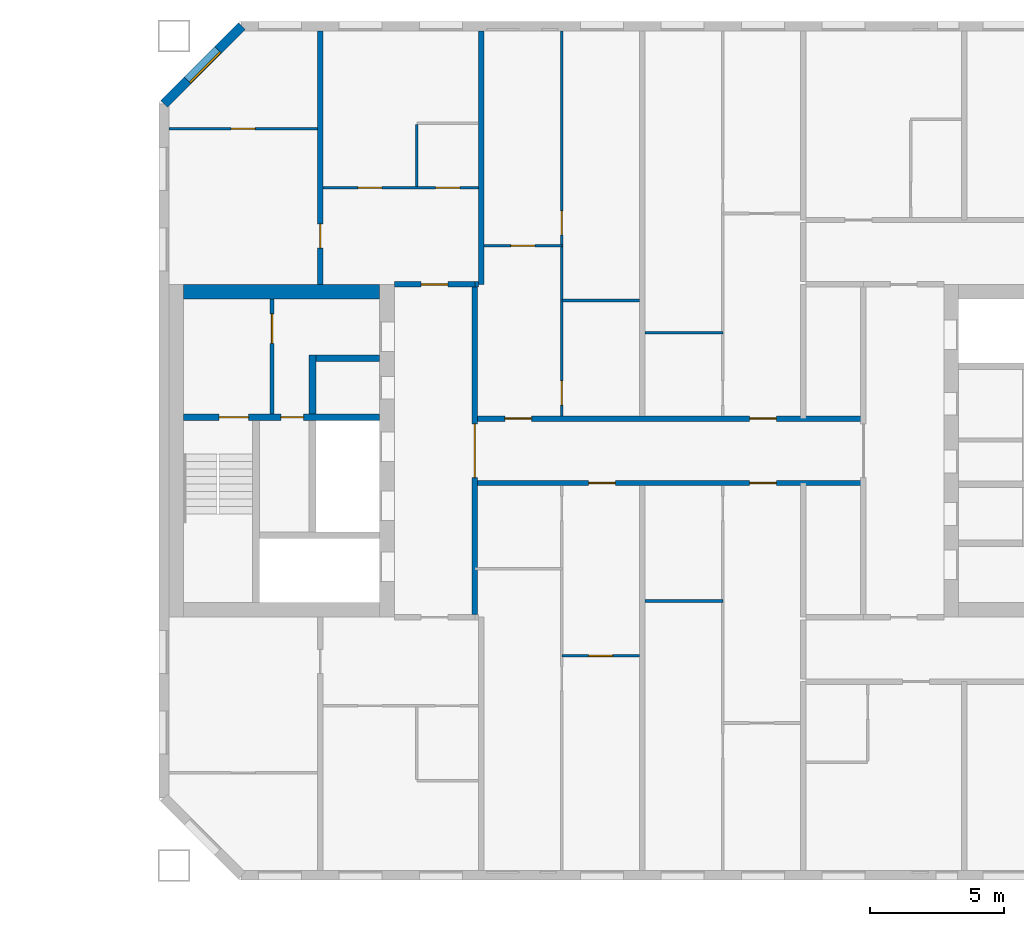
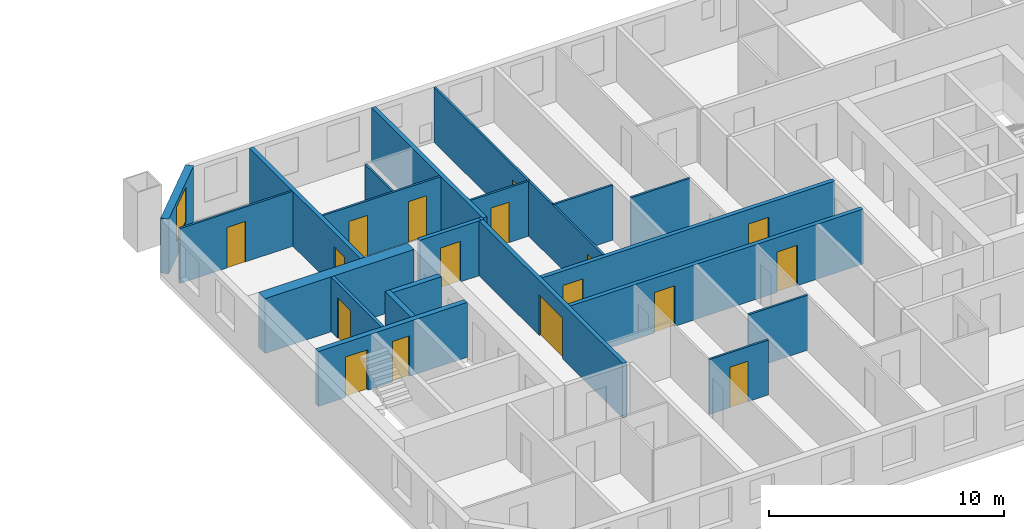
# One storey, part 11 of 16: 22 walls, 17 doors, 1 window, 18 openings.
"""IFC4 building model written with IfcOpenShell, lengths in metres."""

from ifc_helpers import new_model, si_unit, direction, frame, frame_2d, origin, place, context, subcontext, project, spatial, rectangle, extrude, material, layer, layer_set, type_object, element, fill, save


model = new_model("IFC4")

# Units and contexts
model_context = context("Model", 3, precision=1e-05, world=origin(), true_north=direction((0.0, 1.0)))
body_context = subcontext(model_context, "Body", "Model", "MODEL_VIEW")
ifc_project = project(units=[si_unit("LENGTHUNIT", "METRE"), si_unit("AREAUNIT", "SQUARE_METRE"), si_unit("VOLUMEUNIT", "CUBIC_METRE"), si_unit("PLANEANGLEUNIT", "RADIAN"), si_unit("MASSUNIT", "GRAM", prefix="KILO")], contexts=[model_context])

# Site, building, storey
site_placement = place(None, origin())
site = spatial("IfcSite", under=ifc_project, at=site_placement, CompositionType="ELEMENT")
building_placement = place(site_placement, origin())
building = spatial("IfcBuilding", under=site, at=building_placement, Name="Tuart Gate Housing", CompositionType="ELEMENT")
storey_placement = place(building_placement, frame((0.0, 0.0, 133.0)))
storey = spatial("IfcBuildingStorey", under=building, at=storey_placement, Name="L37", CompositionType="ELEMENT", Elevation=133.0)

# Wall, opening, window
ifc_material_1 = material(Name="Brick", Category="masonry")
ifc_layer_1 = layer(ifc_material_1, 0.360107421875)
ifc_layer_set_1 = layer_set([ifc_layer_1], Name="Brick pier and spandrel wall 360")
wall_type_1 = type_object("IfcWallType", Name="Brick pier and spandrel wall 360", PredefinedType="STANDARD", material=ifc_layer_set_1)
wall_1_placement = place(storey_placement, frame((134.07470703125, 85.820068359375, 0.0), z_axis=(0.0, 0.0, 1.0), x_axis=(-0.707106781187, -0.707106781187, 0.0)))
wall_1 = element("IfcWall", 1, at=wall_1_placement, inside=storey, type_object=wall_type_1, Name="External wall B-NW L37", PredefinedType="STANDARD", context=body_context, shape_type="SweptSolid", body=[
    extrude(rectangle(XDim=4.09375, YDim=0.360107421875, at=frame_2d((2.046875, 0.0))), origin(), (0.0, 0.0, 1.0), 2.85009765625),
])
opening_1_placement = place(wall_1_placement, frame((1.2470703125, 0.0, 0.800048828125)))
opening_1 = element("IfcOpeningElement", 2, at=opening_1_placement, cuts=wall_1, Name="Opening W1", PredefinedType="OPENING", context=body_context, shape_type="SweptSolid", body=[
    extrude(rectangle(XDim=1.60009765625, YDim=1.800048828125, at=frame_2d((0.800048828125, 0.89990234375))), frame((0.0, 0.18994140625, 0.0), z_axis=(0.0, -1.0, 0.0), x_axis=(1.0, 0.0, 0.0)), (0.0, 0.0, 1.0), 0.380126953125),
])
ifc_material_2 = material(Name="Aluminium frame with clear glass", Category="aluminium")
window_type = type_object("IfcWindowType", Name="Punched window 1600 x 1800", PartitioningType="SINGLE_PANEL", PredefinedType="WINDOW", material=ifc_material_2)
window_placement = place(opening_1_placement, origin())
window = element("IfcWindow", 3, at=window_placement, inside=storey, type_object=window_type, Name="Window W1", OverallHeight=1.800048828125, OverallWidth=1.60009765625, PartitioningType="SINGLE_PANEL", PredefinedType="WINDOW", context=body_context, shape_type="SweptSolid", body=[
    extrude(rectangle(XDim=1.60009765625, YDim=1.800048828125, at=frame_2d((0.800048828125, 0.89990234375))), frame((0.0, 0.150146484375, 0.0), z_axis=(0.0, -1.0, 0.0), x_axis=(1.0, 0.0, 0.0)), (0.0, 0.0, 1.0), 0.06005859375),
])
fill(opening_1, window)

# Wall, opening, door
ifc_material_3 = material(Name="Plasterboard partition")
ifc_layer_2 = layer(ifc_material_3, 0.14990234375)
ifc_layer_set_2 = layer_set([ifc_layer_2], Name="Core partition 150")
wall_type_2 = type_object("IfcWallType", Name="Core partition 150", PredefinedType="PARTITIONING", material=ifc_layer_set_2)
wall_2_placement = place(storey_placement, frame((135.2099609375, 71.375, 0.0), z_axis=(0.0, 0.0, 1.0), x_axis=(0.0, 1.0, 0.0)))
wall_2 = element("IfcWall", 4, at=wall_2_placement, inside=storey, type_object=wall_type_2, Name="Core partition BG.6", PredefinedType="PARTITIONING", context=body_context, shape_type="SweptSolid", body=[
    extrude(rectangle(XDim=4.27490234375, YDim=0.14990234375, at=frame_2d((2.137451171875, 0.0))), origin(), (0.0, 0.0, 1.0), 2.85009765625),
])
opening_2_placement = place(wall_2_placement, frame((2.625, 0.0, 0.0)))
opening_2 = element("IfcOpeningElement", 5, at=opening_2_placement, cuts=wall_2, Name="Opening D1481", PredefinedType="OPENING", context=body_context, shape_type="SweptSolid", body=[
    extrude(rectangle(XDim=1.10009765625, YDim=2.10009765625, at=frame_2d((0.550048828125, 1.050048828125))), frame((0.0, 0.0849609375, 0.0), z_axis=(0.0, -1.0, 0.0), x_axis=(1.0, 0.0, 0.0)), (0.0, 0.0, 1.0), 0.169921875),
])
ifc_material_4 = material(Name="Steel fire door", Category="steel")
door_type_1 = type_object("IfcDoorType", Name="Lobby door 1100 x 2100 RH", OperationType="SINGLE_SWING_RIGHT", PredefinedType="DOOR", material=ifc_material_4)
door_1_placement = place(opening_2_placement, origin())
door_1 = element("IfcDoor", 6, at=door_1_placement, inside=storey, type_object=door_type_1, Name="Smoke lobby door BG.KD", OperationType="SINGLE_SWING_RIGHT", OverallHeight=2.10009765625, OverallWidth=1.10009765625, PredefinedType="DOOR", context=body_context, shape_type="SweptSolid", body=[
    extrude(rectangle(XDim=1.10009765625, YDim=2.10009765625, at=frame_2d((0.550048828125, 1.050048828125))), frame((0.0, 0.02490234375, 0.0), z_axis=(0.0, -1.0, 0.0), x_axis=(1.0, 0.0, 0.0)), (0.0, 0.0, 1.0), 0.050048828125),
])
fill(opening_2, door_1)

# Wall, openings, doors
ifc_material_5 = material(Name="Concrete C50", Category="concrete")
ifc_layer_3 = layer(ifc_material_5, 0.25)
ifc_layer_set_3 = layer_set([ifc_layer_3], Name="Core wall 250 C50")
wall_type_3 = type_object("IfcWallType", Name="Core wall 250 C50", PredefinedType="SHEAR", material=ifc_layer_set_3)
wall_3_placement = place(storey_placement, frame((139.2099609375, 71.25, 0.0), z_axis=(0.0, 0.0, 1.0), x_axis=(-1.0, 0.0, 0.0)))
wall_3 = element("IfcWall", 7, at=wall_3_placement, inside=storey, type_object=wall_type_3, Name="Core wall BG.2", PredefinedType="SHEAR", context=body_context, shape_type="SweptSolid", body=[
    extrude(rectangle(XDim=7.300048828125, YDim=0.25, at=frame_2d((3.64990234375, 0.0))), origin(), (0.0, 0.0, 1.0), 2.85009765625),
])
opening_3_placement = place(wall_3_placement, frame((4.875, 0.0, 0.0)))
opening_3 = element("IfcOpeningElement", 8, at=opening_3_placement, cuts=wall_3, Name="Opening D1483", PredefinedType="OPENING", context=body_context, shape_type="SweptSolid", body=[
    extrude(rectangle(XDim=1.10009765625, YDim=2.10009765625, at=frame_2d((0.550048828125, 1.050048828125))), frame((0.0, 0.135009765625, 0.0), z_axis=(0.0, -1.0, 0.0), x_axis=(1.0, 0.0, 0.0)), (0.0, 0.0, 1.0), 0.27001953125),
])
opening_4_placement = place(wall_3_placement, frame((2.824951171875, 0.0, 0.0)))
opening_4 = element("IfcOpeningElement", 9, at=opening_4_placement, cuts=wall_3, Name="Opening D1482", PredefinedType="OPENING", context=body_context, shape_type="SweptSolid", body=[
    extrude(rectangle(XDim=0.85009765625, YDim=2.10009765625, at=frame_2d((0.425048828125, 1.050048828125))), frame((0.0, 0.135009765625, 0.0), z_axis=(0.0, -1.0, 0.0), x_axis=(1.0, 0.0, 0.0)), (0.0, 0.0, 1.0), 0.27001953125),
])
ifc_material_6 = material(Name="Steel fire door", Category="steel")
door_type_2 = type_object("IfcDoorType", Name="Riser door 850 x 2100", OperationType="SINGLE_SWING_LEFT", PredefinedType="DOOR", material=ifc_material_6)
door_2_placement = place(opening_4_placement, origin())
door_2 = element("IfcDoor", 10, at=door_2_placement, inside=storey, type_object=door_type_2, Name="Service room door BG.W1", OperationType="SINGLE_SWING_LEFT", OverallHeight=2.10009765625, OverallWidth=0.85009765625, PredefinedType="DOOR", context=body_context, shape_type="SweptSolid", body=[
    extrude(rectangle(XDim=0.85009765625, YDim=2.10009765625, at=frame_2d((0.425048828125, 1.050048828125))), frame((0.0, 0.02490234375, 0.0), z_axis=(0.0, -1.0, 0.0), x_axis=(1.0, 0.0, 0.0)), (0.0, 0.0, 1.0), 0.050048828125),
])
fill(opening_4, door_2)
ifc_material_7 = material(Name="Steel fire door", Category="steel")
door_type_3 = type_object("IfcDoorType", Name="Stair door 1100 x 2100", OperationType="SINGLE_SWING_LEFT", PredefinedType="DOOR", material=ifc_material_7)
door_3_placement = place(opening_3_placement, origin())
door_3 = element("IfcDoor", 11, at=door_3_placement, inside=storey, type_object=door_type_3, Name="Stair door BG.SD", OperationType="SINGLE_SWING_LEFT", OverallHeight=2.10009765625, OverallWidth=1.10009765625, PredefinedType="DOOR", context=body_context, shape_type="SweptSolid", body=[
    extrude(rectangle(XDim=1.10009765625, YDim=2.10009765625, at=frame_2d((0.550048828125, 1.050048828125))), frame((0.0, 0.02490234375, 0.0), z_axis=(0.0, -1.0, 0.0), x_axis=(1.0, 0.0, 0.0)), (0.0, 0.0, 1.0), 0.050048828125),
])
fill(opening_3, door_3)

# Walls
wall_4_placement = place(storey_placement, frame((139.2099609375, 73.449951171875, 0.0), z_axis=(0.0, 0.0, 1.0), x_axis=(-1.0, 0.0, 0.0)))
element("IfcWall", 12, at=wall_4_placement, inside=storey, type_object=wall_type_3, Name="Core wall BG.3", PredefinedType="SHEAR", context=body_context, shape_type="SweptSolid", body=[
    extrude(rectangle(XDim=2.375, YDim=0.25, at=frame_2d((1.1875, 0.0))), origin(), (0.0, 0.0, 1.0), 2.85009765625),
])
wall_5_placement = place(storey_placement, frame((136.7099609375, 71.375, 0.0), z_axis=(0.0, 0.0, 1.0), x_axis=(0.0, 1.0, 0.0)))
element("IfcWall", 13, at=wall_5_placement, inside=storey, type_object=wall_type_3, Name="Core wall BG.5", PredefinedType="SHEAR", context=body_context, shape_type="SweptSolid", body=[
    extrude(rectangle(XDim=2.199951171875, YDim=0.25, at=frame_2d((1.10009765625, 0.0))), origin(), (0.0, 0.0, 1.0), 2.85009765625),
])
ifc_material_8 = material(Name="Concrete C50", Category="concrete")
ifc_layer_4 = layer(ifc_material_8, 0.550048828125)
ifc_layer_set_4 = layer_set([ifc_layer_4], Name="Core wall 550 C50")
wall_type_4 = type_object("IfcWallType", Name="Core wall 550 C50", PredefinedType="SHEAR", material=ifc_layer_set_4)
wall_6_placement = place(storey_placement, frame((139.2099609375, 75.925048828125, 0.0), z_axis=(0.0, 0.0, 1.0), x_axis=(-1.0, 0.0, 0.0)))
element("IfcWall", 14, at=wall_6_placement, inside=storey, type_object=wall_type_4, Name="Core wall BG north", PredefinedType="SHEAR", context=body_context, shape_type="SweptSolid", body=[
    extrude(rectangle(XDim=7.300048828125, YDim=0.550048828125, at=frame_2d((3.64990234375, 0.0))), origin(), (0.0, 0.0, 1.0), 2.85009765625),
])

# Wall, openings, doors
ifc_material_9 = material(Name="Concrete masonry 15 MPa", Category="masonry")
ifc_layer_5 = layer(ifc_material_9, 0.199951171875)
ifc_layer_set_5 = layer_set([ifc_layer_5], Name="Corridor wall masonry 200")
wall_type_5 = type_object("IfcWallType", Name="Corridor wall masonry 200", PredefinedType="PARTITIONING", material=ifc_layer_set_5)
wall_7_placement = place(storey_placement, frame((142.760009765625, 68.800048828125, 0.0), z_axis=(0.0, 0.0, 1.0), x_axis=(1.0, 0.0, 0.0)))
wall_7 = element("IfcWall", 15, at=wall_7_placement, inside=storey, type_object=wall_type_5, Name="Corridor wall masonry 200", PredefinedType="PARTITIONING", context=body_context, shape_type="SweptSolid", body=[
    extrude(rectangle(XDim=14.47998046875, YDim=0.199951171875, at=frame_2d((7.239990234375, 0.0))), origin(), (0.0, 0.0, 1.0), 2.85009765625),
])
opening_5_placement = place(wall_7_placement, frame((4.239990234375, 0.0, 0.0)))
opening_5 = element("IfcOpeningElement", 16, at=opening_5_placement, cuts=wall_7, Name="Opening D1495", PredefinedType="OPENING", context=body_context, shape_type="SweptSolid", body=[
    extrude(rectangle(XDim=1.0, YDim=2.10009765625, at=frame_2d((0.5, 1.050048828125))), frame((0.0, 0.10986328125, 0.0), z_axis=(0.0, -1.0, 0.0), x_axis=(1.0, 0.0, 0.0)), (0.0, 0.0, 1.0), 0.219970703125),
])
opening_6_placement = place(wall_7_placement, frame((10.239990234375, 0.0, 0.0)))
opening_6 = element("IfcOpeningElement", 17, at=opening_6_placement, cuts=wall_7, Name="Opening D1496", PredefinedType="OPENING", context=body_context, shape_type="SweptSolid", body=[
    extrude(rectangle(XDim=1.0, YDim=2.10009765625, at=frame_2d((0.5, 1.050048828125))), frame((0.0, 0.10986328125, 0.0), z_axis=(0.0, -1.0, 0.0), x_axis=(1.0, 0.0, 0.0)), (0.0, 0.0, 1.0), 0.219970703125),
])
ifc_material_10 = material(Name="Timber door leaf in steel frame", Category="steel")
door_type_4 = type_object("IfcDoorType", Name="Flat entrance door 1000 RH", OperationType="SINGLE_SWING_RIGHT", PredefinedType="DOOR", material=ifc_material_10)
door_4_placement = place(opening_5_placement, frame((1.0, 0.0, 0.0), z_axis=(0.0, 0.0, 1.0), x_axis=(-1.0, 0.0, 0.0)))
door_4 = element("IfcDoor", 18, at=door_4_placement, inside=storey, type_object=door_type_4, Name="Flat entrance door", OperationType="SINGLE_SWING_RIGHT", OverallHeight=2.10009765625, OverallWidth=1.0, PredefinedType="DOOR", context=body_context, shape_type="SweptSolid", body=[
    extrude(rectangle(XDim=1.0, YDim=2.10009765625, at=frame_2d((0.5, 1.050048828125))), frame((0.0, 0.025146484375, 0.0), z_axis=(0.0, -1.0, 0.0), x_axis=(1.0, 0.0, 0.0)), (0.0, 0.0, 1.0), 0.050048828125),
])
fill(opening_5, door_4)
door_5_placement = place(opening_6_placement, frame((1.0, 0.0, 0.0), z_axis=(0.0, 0.0, 1.0), x_axis=(-1.0, 0.0, 0.0)))
door_5 = element("IfcDoor", 19, at=door_5_placement, inside=storey, type_object=door_type_4, Name="Flat entrance door", OperationType="SINGLE_SWING_RIGHT", OverallHeight=2.10009765625, OverallWidth=1.0, PredefinedType="DOOR", context=body_context, shape_type="SweptSolid", body=[
    extrude(rectangle(XDim=1.0, YDim=2.10009765625, at=frame_2d((0.5, 1.050048828125))), frame((0.0, 0.025146484375, 0.0), z_axis=(0.0, -1.0, 0.0), x_axis=(1.0, 0.0, 0.0)), (0.0, 0.0, 1.0), 0.050048828125),
])
fill(opening_6, door_5)

wall_8_placement = place(storey_placement, frame((142.760009765625, 71.199951171875, 0.0), z_axis=(0.0, 0.0, 1.0), x_axis=(1.0, 0.0, 0.0)))
wall_8 = element("IfcWall", 20, at=wall_8_placement, inside=storey, type_object=wall_type_5, Name="Corridor wall masonry 200", PredefinedType="PARTITIONING", context=body_context, shape_type="SweptSolid", body=[
    extrude(rectangle(XDim=14.47998046875, YDim=0.199951171875, at=frame_2d((7.239990234375, 0.0))), origin(), (0.0, 0.0, 1.0), 2.85009765625),
])
opening_7_placement = place(wall_8_placement, frame((1.1201171875, 0.0, 0.0)))
opening_7 = element("IfcOpeningElement", 21, at=opening_7_placement, cuts=wall_8, Name="Opening D1484", PredefinedType="OPENING", context=body_context, shape_type="SweptSolid", body=[
    extrude(rectangle(XDim=1.0, YDim=2.10009765625, at=frame_2d((0.5, 1.050048828125))), frame((0.0, 0.10986328125, 0.0), z_axis=(0.0, -1.0, 0.0), x_axis=(1.0, 0.0, 0.0)), (0.0, 0.0, 1.0), 0.219970703125),
])
opening_8_placement = place(wall_8_placement, frame((10.239990234375, 0.0, 0.0)))
opening_8 = element("IfcOpeningElement", 22, at=opening_8_placement, cuts=wall_8, Name="Opening D1485", PredefinedType="OPENING", context=body_context, shape_type="SweptSolid", body=[
    extrude(rectangle(XDim=1.0, YDim=2.10009765625, at=frame_2d((0.5, 1.050048828125))), frame((0.0, 0.10986328125, 0.0), z_axis=(0.0, -1.0, 0.0), x_axis=(1.0, 0.0, 0.0)), (0.0, 0.0, 1.0), 0.219970703125),
])
ifc_material_11 = material(Name="Timber door leaf in steel frame", Category="steel")
door_type_5 = type_object("IfcDoorType", Name="Flat entrance door 1000", OperationType="SINGLE_SWING_LEFT", PredefinedType="DOOR", material=ifc_material_11)
door_6_placement = place(opening_7_placement, origin())
door_6 = element("IfcDoor", 23, at=door_6_placement, inside=storey, type_object=door_type_5, Name="Flat entrance door", OperationType="SINGLE_SWING_LEFT", OverallHeight=2.10009765625, OverallWidth=1.0, PredefinedType="DOOR", context=body_context, shape_type="SweptSolid", body=[
    extrude(rectangle(XDim=1.0, YDim=2.10009765625, at=frame_2d((0.5, 1.050048828125))), frame((0.0, 0.02490234375, 0.0), z_axis=(0.0, -1.0, 0.0), x_axis=(1.0, 0.0, 0.0)), (0.0, 0.0, 1.0), 0.050048828125),
])
fill(opening_7, door_6)
door_7_placement = place(opening_8_placement, origin())
door_7 = element("IfcDoor", 24, at=door_7_placement, inside=storey, type_object=door_type_5, Name="Flat entrance door", OperationType="SINGLE_SWING_LEFT", OverallHeight=2.10009765625, OverallWidth=1.0, PredefinedType="DOOR", context=body_context, shape_type="SweptSolid", body=[
    extrude(rectangle(XDim=1.0, YDim=2.10009765625, at=frame_2d((0.5, 1.050048828125))), frame((0.0, 0.02490234375, 0.0), z_axis=(0.0, -1.0, 0.0), x_axis=(1.0, 0.0, 0.0)), (0.0, 0.0, 1.0), 0.050048828125),
])
fill(opening_8, door_7)

# Wall, opening, door
ifc_material_12 = material(Name="Concrete masonry 15 MPa", Category="masonry")
ifc_layer_6 = layer(ifc_material_12, 0.199951171875)
ifc_layer_set_6 = layer_set([ifc_layer_6], Name="Enclosure wall masonry 200")
wall_type_6 = type_object("IfcWallType", Name="Enclosure wall masonry 200", PredefinedType="PARTITIONING", material=ifc_layer_set_6)
wall_9_placement = place(storey_placement, frame((139.760009765625, 76.199951171875, 0.0), z_axis=(0.0, 0.0, 1.0), x_axis=(1.0, 0.0, 0.0)))
wall_9 = element("IfcWall", 25, at=wall_9_placement, inside=storey, type_object=wall_type_6, Name="Enclosure wall masonry 200", PredefinedType="PARTITIONING", context=body_context, shape_type="SweptSolid", body=[
    extrude(rectangle(XDim=3.0, YDim=0.199951171875, at=frame_2d((1.5, 0.0))), origin(), (0.0, 0.0, 1.0), 2.85009765625),
])
opening_9_placement = place(wall_9_placement, frame((1.0, 0.0, 0.0)))
opening_9 = element("IfcOpeningElement", 26, at=opening_9_placement, cuts=wall_9, Name="Opening D1479", PredefinedType="OPENING", context=body_context, shape_type="SweptSolid", body=[
    extrude(rectangle(XDim=1.0, YDim=2.10009765625, at=frame_2d((0.5, 1.050048828125))), frame((0.0, 0.10986328125, 0.0), z_axis=(0.0, -1.0, 0.0), x_axis=(1.0, 0.0, 0.0)), (0.0, 0.0, 1.0), 0.219970703125),
])
door_8_placement = place(opening_9_placement, origin())
door_8 = element("IfcDoor", 27, at=door_8_placement, inside=storey, type_object=door_type_4, Name="Flat entrance door", OperationType="SINGLE_SWING_RIGHT", OverallHeight=2.10009765625, OverallWidth=1.0, PredefinedType="DOOR", context=body_context, shape_type="SweptSolid", body=[
    extrude(rectangle(XDim=1.0, YDim=2.10009765625, at=frame_2d((0.5, 1.050048828125))), frame((0.0, 0.02490234375, 0.0), z_axis=(0.0, -1.0, 0.0), x_axis=(1.0, 0.0, 0.0)), (0.0, 0.0, 1.0), 0.050048828125),
])
fill(opening_9, door_8)

ifc_material_13 = material(Name="Plasterboard partition")
ifc_layer_7 = layer(ifc_material_13, 0.199951171875)
ifc_layer_set_7 = layer_set([ifc_layer_7], Name="Lobby wall 200")
wall_type_7 = type_object("IfcWallType", Name="Lobby wall 200", PredefinedType="PARTITIONING", material=ifc_layer_set_7)
wall_10_placement = place(storey_placement, frame((142.760009765625, 63.89990234375, 0.0), z_axis=(0.0, 0.0, 1.0), x_axis=(0.0, 1.0, 0.0)))
wall_10 = element("IfcWall", 28, at=wall_10_placement, inside=storey, type_object=wall_type_7, Name="Lift lobby wall BG", PredefinedType="PARTITIONING", context=body_context, shape_type="SweptSolid", body=[
    extrude(rectangle(XDim=12.2001953125, YDim=0.199951171875, at=frame_2d((6.10009765625, 0.0))), origin(), (0.0, 0.0, 1.0), 2.85009765625),
])
opening_10_placement = place(wall_10_placement, frame((5.10009765625, 0.0, 0.0)))
opening_10 = element("IfcOpeningElement", 29, at=opening_10_placement, cuts=wall_10, Name="Opening D1489", PredefinedType="OPENING", context=body_context, shape_type="SweptSolid", body=[
    extrude(rectangle(XDim=2.0, YDim=2.10009765625, at=frame_2d((1.0, 1.050048828125))), frame((0.0, 0.10986328125, 0.0), z_axis=(0.0, -1.0, 0.0), x_axis=(1.0, 0.0, 0.0)), (0.0, 0.0, 1.0), 0.219970703125),
])
ifc_material_14 = material(Name="Steel fire door", Category="steel")
door_type_6 = type_object("IfcDoorType", Name="Smoke door 2000 x 2100", OperationType="DOUBLE_DOOR_SINGLE_SWING", PredefinedType="DOOR", material=ifc_material_14)
door_9_placement = place(opening_10_placement, origin())
door_9 = element("IfcDoor", 30, at=door_9_placement, inside=storey, type_object=door_type_6, Name="Lift lobby smoke door BG", OperationType="DOUBLE_DOOR_SINGLE_SWING", OverallHeight=2.10009765625, OverallWidth=2.0, PredefinedType="DOOR", context=body_context, shape_type="SweptSolid", body=[
    extrude(rectangle(XDim=2.0, YDim=2.10009765625, at=frame_2d((1.0, 1.050048828125))), frame((0.0, 0.02490234375, 0.0), z_axis=(0.0, -1.0, 0.0), x_axis=(1.0, 0.0, 0.0)), (0.0, 0.0, 1.0), 0.050048828125),
])
fill(opening_10, door_9)

ifc_material_15 = material(Name="Gypsum board on steel studs", Category="steel")
ifc_layer_8 = layer(ifc_material_15, 0.10009765625)
ifc_layer_set_8 = layer_set([ifc_layer_8], Name="Partition 100")
wall_type_8 = type_object("IfcWallType", Name="Partition 100", PredefinedType="PARTITIONING", material=ifc_layer_set_8)
wall_11_placement = place(storey_placement, frame((146.0, 62.360107421875, 0.0), z_axis=(0.0, 0.0, 1.0), x_axis=(1.0, 0.0, 0.0)))
wall_11 = element("IfcWall", 31, at=wall_11_placement, inside=storey, type_object=wall_type_8, Name="Partition 100", PredefinedType="PARTITIONING", context=body_context, shape_type="SweptSolid", body=[
    extrude(rectangle(XDim=2.89990234375, YDim=0.10009765625, at=frame_2d((1.449951171875, 0.0))), origin(), (0.0, 0.0, 1.0), 2.85009765625),
])
opening_11_placement = place(wall_11_placement, frame((1.0, 0.0, 0.0)))
opening_11 = element("IfcOpeningElement", 32, at=opening_11_placement, cuts=wall_11, Name="Opening D1501", PredefinedType="OPENING", context=body_context, shape_type="SweptSolid", body=[
    extrude(rectangle(XDim=0.89990234375, YDim=2.10009765625, at=frame_2d((0.449951171875, 1.050048828125))), frame((0.0, 0.06005859375, 0.0), z_axis=(0.0, -1.0, 0.0), x_axis=(1.0, 0.0, 0.0)), (0.0, 0.0, 1.0), 0.1201171875),
])
ifc_material_16 = material(Name="Timber door leaf in steel frame", Category="steel")
door_type_7 = type_object("IfcDoorType", Name="Internal door 900", OperationType="SINGLE_SWING_LEFT", PredefinedType="DOOR", material=ifc_material_16)
door_10_placement = place(opening_11_placement, origin())
door_10 = element("IfcDoor", 33, at=door_10_placement, inside=storey, type_object=door_type_7, Name="Internal door", OperationType="SINGLE_SWING_LEFT", OverallHeight=2.10009765625, OverallWidth=0.89990234375, PredefinedType="DOOR", context=body_context, shape_type="SweptSolid", body=[
    extrude(rectangle(XDim=0.89990234375, YDim=2.10009765625, at=frame_2d((0.449951171875, 1.050048828125))), frame((0.0, 0.02490234375, 0.0), z_axis=(0.0, -1.0, 0.0), x_axis=(1.0, 0.0, 0.0)), (0.0, 0.0, 1.0), 0.050048828125),
])
fill(opening_11, door_10)

# Walls
for number, where, z_axis, x_axis, name in (
    (34, (149.10009765625, 64.39990234375, 0.0), (0.0, 0.0, 1.0), (1.0, 0.0, 0.0), "Partition 100"),
    (35, (149.10009765625, 74.39990234375, 0.0), (0.0, 0.0, 1.0), (1.0, 0.0, 0.0), "Partition 100"),
    (36, (146.0, 75.60009765625, 0.0), (0.0, 0.0, 1.0), (1.0, 0.0, 0.0), "Partition 100"),
):
    element("IfcWall", number, at=place(storey_placement, frame(where, z_axis=z_axis, x_axis=x_axis)), inside=storey, type_object=wall_type_8, Name=name, PredefinedType="PARTITIONING", context=body_context, shape_type="SweptSolid", body=[
        extrude(rectangle(XDim=2.89990234375, YDim=0.10009765625, at=frame_2d((1.449951171875, 0.0))), origin(), (0.0, 0.0, 1.0), 2.85009765625),
    ])

# Wall, opening, door
wall_12_placement = place(storey_placement, frame((143.10009765625, 77.639892578125, 0.0), z_axis=(0.0, 0.0, 1.0), x_axis=(1.0, 0.0, 0.0)))
wall_12 = element("IfcWall", 37, at=wall_12_placement, inside=storey, type_object=wall_type_8, Name="Partition 100", PredefinedType="PARTITIONING", context=body_context, shape_type="SweptSolid", body=[
    extrude(rectangle(XDim=2.89990234375, YDim=0.10009765625, at=frame_2d((1.449951171875, 0.0))), origin(), (0.0, 0.0, 1.0), 2.85009765625),
])
opening_12_placement = place(wall_12_placement, frame((1.0, 0.0, 0.0)))
opening_12 = element("IfcOpeningElement", 38, at=opening_12_placement, cuts=wall_12, Name="Opening D1478", PredefinedType="OPENING", context=body_context, shape_type="SweptSolid", body=[
    extrude(rectangle(XDim=0.89990234375, YDim=2.10009765625, at=frame_2d((0.449951171875, 1.050048828125))), frame((0.0, 0.06005859375, 0.0), z_axis=(0.0, -1.0, 0.0), x_axis=(1.0, 0.0, 0.0)), (0.0, 0.0, 1.0), 0.1201171875),
])
door_11_placement = place(opening_12_placement, frame((0.89990234375, 0.0, 0.0), z_axis=(0.0, 0.0, 1.0), x_axis=(-1.0, 0.0, 0.0)))
door_11 = element("IfcDoor", 39, at=door_11_placement, inside=storey, type_object=door_type_7, Name="Internal door", OperationType="SINGLE_SWING_LEFT", OverallHeight=2.10009765625, OverallWidth=0.89990234375, PredefinedType="DOOR", context=body_context, shape_type="SweptSolid", body=[
    extrude(rectangle(XDim=0.89990234375, YDim=2.10009765625, at=frame_2d((0.449951171875, 1.050048828125))), frame((0.0, 0.025146484375, 0.0), z_axis=(0.0, -1.0, 0.0), x_axis=(1.0, 0.0, 0.0)), (0.0, 0.0, 1.0), 0.050048828125),
])
fill(opening_12, door_11)

# Wall, openings, doors
wall_13_placement = place(storey_placement, frame((137.10009765625, 79.800048828125, 0.0), z_axis=(0.0, 0.0, 1.0), x_axis=(1.0, 0.0, 0.0)))
wall_13 = element("IfcWall", 40, at=wall_13_placement, inside=storey, type_object=wall_type_8, Name="Partition 100", PredefinedType="PARTITIONING", context=body_context, shape_type="SweptSolid", body=[
    extrude(rectangle(XDim=5.7998046875, YDim=0.10009765625, at=frame_2d((2.89990234375, 0.0))), origin(), (0.0, 0.0, 1.0), 2.85009765625),
])
opening_13_placement = place(wall_13_placement, frame((1.300048828125, 0.0, 0.0)))
opening_13 = element("IfcOpeningElement", 41, at=opening_13_placement, cuts=wall_13, Name="Opening D1470", PredefinedType="OPENING", context=body_context, shape_type="SweptSolid", body=[
    extrude(rectangle(XDim=0.89990234375, YDim=2.10009765625, at=frame_2d((0.449951171875, 1.050048828125))), frame((0.0, 0.06005859375, 0.0), z_axis=(0.0, -1.0, 0.0), x_axis=(1.0, 0.0, 0.0)), (0.0, 0.0, 1.0), 0.1201171875),
])
opening_14_placement = place(wall_13_placement, frame((4.199951171875, 0.0, 0.0)))
opening_14 = element("IfcOpeningElement", 42, at=opening_14_placement, cuts=wall_13, Name="Opening D1469", PredefinedType="OPENING", context=body_context, shape_type="SweptSolid", body=[
    extrude(rectangle(XDim=0.89990234375, YDim=2.10009765625, at=frame_2d((0.449951171875, 1.050048828125))), frame((0.0, 0.06005859375, 0.0), z_axis=(0.0, -1.0, 0.0), x_axis=(1.0, 0.0, 0.0)), (0.0, 0.0, 1.0), 0.1201171875),
])
ifc_material_17 = material(Name="Timber door leaf in steel frame", Category="steel")
door_type_8 = type_object("IfcDoorType", Name="Bathroom door 900", OperationType="SINGLE_SWING_LEFT", PredefinedType="DOOR", material=ifc_material_17)
door_12_placement = place(opening_14_placement, origin())
door_12 = element("IfcDoor", 43, at=door_12_placement, inside=storey, type_object=door_type_8, Name="Bathroom door", OperationType="SINGLE_SWING_LEFT", OverallHeight=2.10009765625, OverallWidth=0.89990234375, PredefinedType="DOOR", context=body_context, shape_type="SweptSolid", body=[
    extrude(rectangle(XDim=0.89990234375, YDim=2.10009765625, at=frame_2d((0.449951171875, 1.050048828125))), frame((0.0, 0.02490234375, 0.0), z_axis=(0.0, -1.0, 0.0), x_axis=(1.0, 0.0, 0.0)), (0.0, 0.0, 1.0), 0.050048828125),
])
fill(opening_14, door_12)
ifc_material_18 = material(Name="Timber door leaf in steel frame", Category="steel")
door_type_9 = type_object("IfcDoorType", Name="Internal door 900 RH", OperationType="SINGLE_SWING_RIGHT", PredefinedType="DOOR", material=ifc_material_18)
door_13_placement = place(opening_13_placement, origin())
door_13 = element("IfcDoor", 44, at=door_13_placement, inside=storey, type_object=door_type_9, Name="Internal door", OperationType="SINGLE_SWING_RIGHT", OverallHeight=2.10009765625, OverallWidth=0.89990234375, PredefinedType="DOOR", context=body_context, shape_type="SweptSolid", body=[
    extrude(rectangle(XDim=0.89990234375, YDim=2.10009765625, at=frame_2d((0.449951171875, 1.050048828125))), frame((0.0, 0.02490234375, 0.0), z_axis=(0.0, -1.0, 0.0), x_axis=(1.0, 0.0, 0.0)), (0.0, 0.0, 1.0), 0.050048828125),
])
fill(opening_13, door_13)

# Wall, opening, door
wall_14_placement = place(storey_placement, frame((131.360107421875, 82.0, 0.0), z_axis=(0.0, 0.0, 1.0), x_axis=(1.0, 0.0, 0.0)))
wall_14 = element("IfcWall", 45, at=wall_14_placement, inside=storey, type_object=wall_type_8, Name="Partition 100", PredefinedType="PARTITIONING", context=body_context, shape_type="SweptSolid", body=[
    extrude(rectangle(XDim=5.539794921875, YDim=0.10009765625, at=frame_2d((2.77001953125, 0.0))), origin(), (0.0, 0.0, 1.0), 2.85009765625),
])
opening_15_placement = place(wall_14_placement, frame((2.320068359375, 0.0, 0.0)))
opening_15 = element("IfcOpeningElement", 46, at=opening_15_placement, cuts=wall_14, Name="Opening D1466", PredefinedType="OPENING", context=body_context, shape_type="SweptSolid", body=[
    extrude(rectangle(XDim=0.89990234375, YDim=2.10009765625, at=frame_2d((0.449951171875, 1.050048828125))), frame((0.0, 0.06005859375, 0.0), z_axis=(0.0, -1.0, 0.0), x_axis=(1.0, 0.0, 0.0)), (0.0, 0.0, 1.0), 0.1201171875),
])
door_14_placement = place(opening_15_placement, origin())
door_14 = element("IfcDoor", 47, at=door_14_placement, inside=storey, type_object=door_type_7, Name="Internal door", OperationType="SINGLE_SWING_LEFT", OverallHeight=2.10009765625, OverallWidth=0.89990234375, PredefinedType="DOOR", context=body_context, shape_type="SweptSolid", body=[
    extrude(rectangle(XDim=0.89990234375, YDim=2.10009765625, at=frame_2d((0.449951171875, 1.050048828125))), frame((0.0, 0.02490234375, 0.0), z_axis=(0.0, -1.0, 0.0), x_axis=(1.0, 0.0, 0.0)), (0.0, 0.0, 1.0), 0.050048828125),
])
fill(opening_15, door_14)

# Wall
wall_15_placement = place(storey_placement, frame((140.60009765625, 79.85009765625, 0.0), z_axis=(0.0, 0.0, 1.0), x_axis=(0.0, 1.0, 0.0)))
element("IfcWall", 48, at=wall_15_placement, inside=storey, type_object=wall_type_8, Name="Partition 100", PredefinedType="PARTITIONING", context=body_context, shape_type="SweptSolid", body=[
    extrude(rectangle(XDim=2.2998046875, YDim=0.10009765625, at=frame_2d((1.14990234375, 0.0))), origin(), (0.0, 0.0, 1.0), 2.85009765625),
])

# Wall, openings, doors
wall_16_placement = place(storey_placement, frame((146.0, 71.300048828125, 0.0), z_axis=(0.0, 0.0, 1.0), x_axis=(0.0, 1.0, 0.0)))
wall_16 = element("IfcWall", 49, at=wall_16_placement, inside=storey, type_object=wall_type_8, Name="Partition 100", PredefinedType="PARTITIONING", context=body_context, shape_type="SweptSolid", body=[
    extrude(rectangle(XDim=14.33984375, YDim=0.10009765625, at=frame_2d((7.169921875, 0.0))), origin(), (0.0, 0.0, 1.0), 2.85009765625),
])
opening_16_placement = place(wall_16_placement, frame((6.739990234375, 0.0, 0.0)))
opening_16 = element("IfcOpeningElement", 50, at=opening_16_placement, cuts=wall_16, Name="Opening D1475", PredefinedType="OPENING", context=body_context, shape_type="SweptSolid", body=[
    extrude(rectangle(XDim=0.89990234375, YDim=2.10009765625, at=frame_2d((0.449951171875, 1.050048828125))), frame((0.0, 0.06005859375, 0.0), z_axis=(0.0, -1.0, 0.0), x_axis=(1.0, 0.0, 0.0)), (0.0, 0.0, 1.0), 0.1201171875),
])
opening_17_placement = place(wall_16_placement, frame((0.39990234375, 0.0, 0.0)))
opening_17 = element("IfcOpeningElement", 51, at=opening_17_placement, cuts=wall_16, Name="Opening D1474", PredefinedType="OPENING", context=body_context, shape_type="SweptSolid", body=[
    extrude(rectangle(XDim=0.89990234375, YDim=2.10009765625, at=frame_2d((0.449951171875, 1.050048828125))), frame((0.0, 0.06005859375, 0.0), z_axis=(0.0, -1.0, 0.0), x_axis=(1.0, 0.0, 0.0)), (0.0, 0.0, 1.0), 0.1201171875),
])
ifc_material_19 = material(Name="Timber door leaf in steel frame", Category="steel")
door_type_10 = type_object("IfcDoorType", Name="Bathroom door 900 RH", OperationType="SINGLE_SWING_RIGHT", PredefinedType="DOOR", material=ifc_material_19)
door_15_placement = place(opening_17_placement, frame((0.89990234375, 0.0, 0.0), z_axis=(0.0, 0.0, 1.0), x_axis=(-1.0, 0.0, 0.0)))
door_15 = element("IfcDoor", 52, at=door_15_placement, inside=storey, type_object=door_type_10, Name="Bathroom door", OperationType="SINGLE_SWING_RIGHT", OverallHeight=2.10009765625, OverallWidth=0.89990234375, PredefinedType="DOOR", context=body_context, shape_type="SweptSolid", body=[
    extrude(rectangle(XDim=0.89990234375, YDim=2.10009765625, at=frame_2d((0.449951171875, 1.050048828125))), frame((0.0, 0.025146484375, 0.0), z_axis=(0.0, -1.0, 0.0), x_axis=(1.0, 0.0, 0.0)), (0.0, 0.0, 1.0), 0.050048828125),
])
fill(opening_17, door_15)
door_16_placement = place(opening_16_placement, frame((0.89990234375, 0.0, 0.0), z_axis=(0.0, 0.0, 1.0), x_axis=(-1.0, 0.0, 0.0)))
door_16 = element("IfcDoor", 53, at=door_16_placement, inside=storey, type_object=door_type_9, Name="Internal door", OperationType="SINGLE_SWING_RIGHT", OverallHeight=2.10009765625, OverallWidth=0.89990234375, PredefinedType="DOOR", context=body_context, shape_type="SweptSolid", body=[
    extrude(rectangle(XDim=0.89990234375, YDim=2.10009765625, at=frame_2d((0.449951171875, 1.050048828125))), frame((0.0, 0.025146484375, 0.0), z_axis=(0.0, -1.0, 0.0), x_axis=(1.0, 0.0, 0.0)), (0.0, 0.0, 1.0), 0.050048828125),
])
fill(opening_16, door_16)

# Wall, opening, door
ifc_material_20 = material(Name="Concrete C40", Category="concrete")
ifc_layer_9 = layer(ifc_material_20, 0.199951171875)
ifc_layer_set_9 = layer_set([ifc_layer_9], Name="Party wall concrete C40 200")
wall_type_9 = type_object("IfcWallType", Name="Party wall concrete C40 200", PredefinedType="SOLIDWALL", material=ifc_layer_set_9)
wall_17_placement = place(storey_placement, frame((137.0, 76.199951171875, 0.0), z_axis=(0.0, 0.0, 1.0), x_axis=(0.0, 1.0, 0.0)))
wall_17 = element("IfcWall", 54, at=wall_17_placement, inside=storey, type_object=wall_type_9, Name="Party wall concrete C40 200", PredefinedType="SOLIDWALL", context=body_context, shape_type="SweptSolid", body=[
    extrude(rectangle(XDim=9.43994140625, YDim=0.199951171875, at=frame_2d((4.719970703125, 0.0))), origin(), (0.0, 0.0, 1.0), 2.85009765625),
])
opening_18_placement = place(wall_17_placement, frame((1.35009765625, 0.0, 0.0)))
opening_18 = element("IfcOpeningElement", 55, at=opening_18_placement, cuts=wall_17, Name="Opening D1467", PredefinedType="OPENING", context=body_context, shape_type="SweptSolid", body=[
    extrude(rectangle(XDim=0.89990234375, YDim=2.10009765625, at=frame_2d((0.449951171875, 1.050048828125))), frame((0.0, 0.10986328125, 0.0), z_axis=(0.0, -1.0, 0.0), x_axis=(1.0, 0.0, 0.0)), (0.0, 0.0, 1.0), 0.219970703125),
])
door_17_placement = place(opening_18_placement, frame((0.89990234375, 0.0, 0.0), z_axis=(0.0, 0.0, 1.0), x_axis=(-1.0, 0.0, 0.0)))
door_17 = element("IfcDoor", 56, at=door_17_placement, inside=storey, type_object=door_type_9, Name="Internal door", OperationType="SINGLE_SWING_RIGHT", OverallHeight=2.10009765625, OverallWidth=0.89990234375, PredefinedType="DOOR", context=body_context, shape_type="SweptSolid", body=[
    extrude(rectangle(XDim=0.89990234375, YDim=2.10009765625, at=frame_2d((0.449951171875, 1.050048828125))), frame((0.0, 0.025146484375, 0.0), z_axis=(0.0, -1.0, 0.0), x_axis=(1.0, 0.0, 0.0)), (0.0, 0.0, 1.0), 0.050048828125),
])
fill(opening_18, door_17)

# Walls
wall_18_placement = place(storey_placement, frame((143.0, 76.199951171875, 0.0), z_axis=(0.0, 0.0, 1.0), x_axis=(0.0, 1.0, 0.0)))
element("IfcWall", 57, at=wall_18_placement, inside=storey, type_object=wall_type_9, Name="Party wall concrete C40 200", PredefinedType="SOLIDWALL", context=body_context, shape_type="SweptSolid", body=[
    extrude(rectangle(XDim=9.43994140625, YDim=0.199951171875, at=frame_2d((4.719970703125, 0.0))), origin(), (0.0, 0.0, 1.0), 2.85009765625),
])
ifc_material_21 = material(Name="Concrete masonry 15 MPa", Category="masonry")
ifc_layer_10 = layer(ifc_material_21, 0.199951171875)
ifc_layer_set_10 = layer_set([ifc_layer_10], Name="Party wall masonry 200")
wall_type_10 = type_object("IfcWallType", Name="Party wall masonry 200", PredefinedType="PARTITIONING", material=ifc_layer_set_10)
wall_19_placement = place(storey_placement, frame((142.760009765625, 76.199951171875, 0.0), z_axis=(0.0, 0.0, 1.0), x_axis=(1.0, 0.0, 0.0)))
element("IfcWall", 58, at=wall_19_placement, inside=storey, type_object=wall_type_10, Name="Party wall masonry 200", PredefinedType="PARTITIONING", context=body_context, shape_type="SweptSolid", body=[
    extrude(rectangle(XDim=0.139892578125, YDim=0.199951171875, at=frame_2d((0.06982421875, 0.0))), origin(), (0.0, 0.0, 1.0), 2.85009765625),
])

save(model, "model.ifc")
